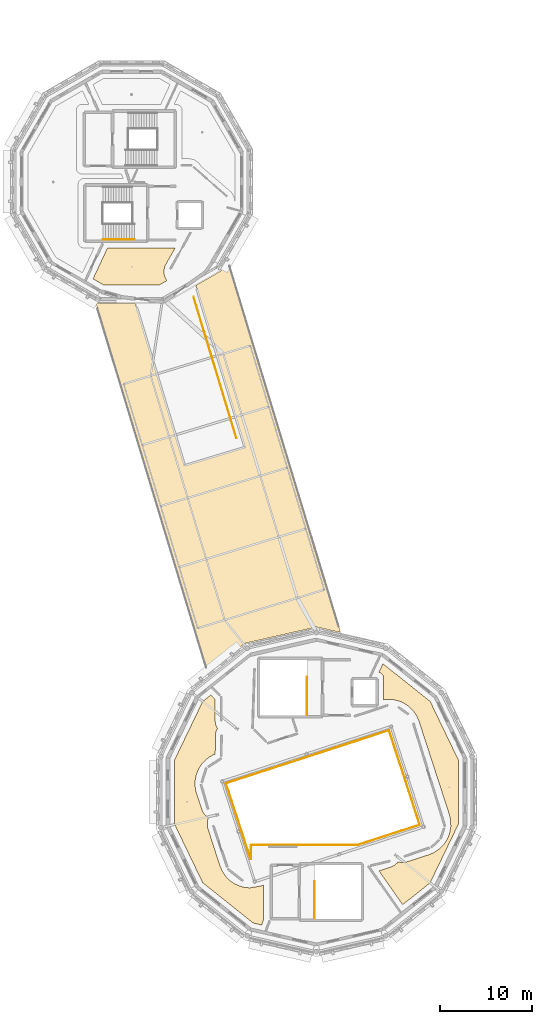
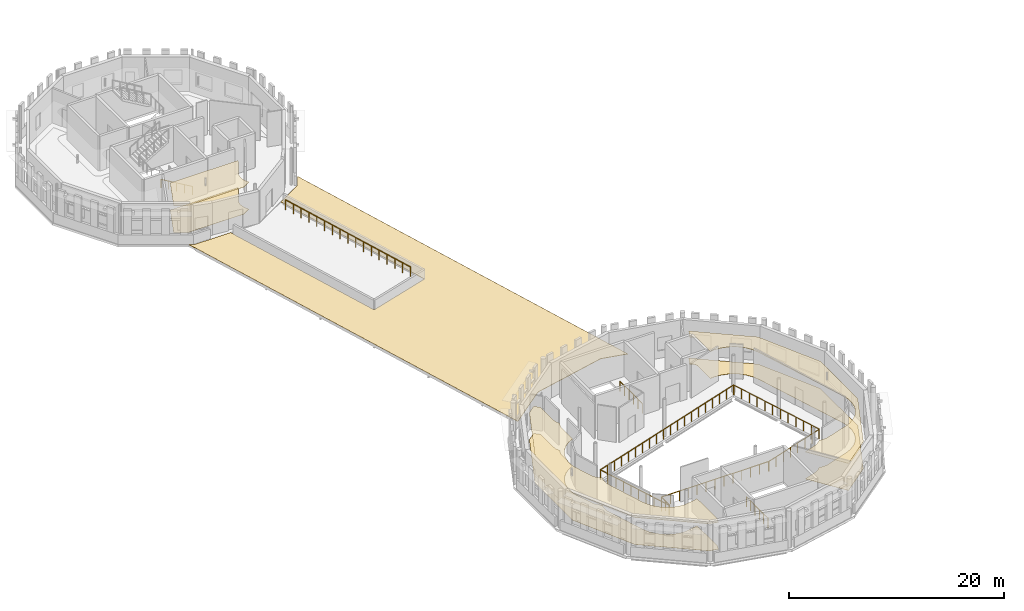
# One storey, part 64 of 68: 10 railings, 7 coverings.
"""IFC4 building model written with IfcOpenShell, lengths in metres."""

from ifc_helpers import new_model, si_unit, direction, frame, origin, origin_2d, place, context, subcontext, project, spatial, polyline, circle, outline, extrude, material, layer, layer_set, type_object, element, save


model = new_model("IFC4")

# Units and contexts
model_context = context("Model", 3, precision=1e-05, world=origin(), true_north=direction((0.0, 1.0)))
body_context = subcontext(model_context, "Body", "Model", "MODEL_VIEW")
ifc_project = project(units=[si_unit("LENGTHUNIT", "METRE"), si_unit("AREAUNIT", "SQUARE_METRE"), si_unit("VOLUMEUNIT", "CUBIC_METRE"), si_unit("PLANEANGLEUNIT", "RADIAN"), si_unit("MASSUNIT", "GRAM", prefix="KILO")], contexts=[model_context])

# Site, building, storey
site_placement = place(None, origin())
site = spatial("IfcSite", under=ifc_project, at=site_placement, CompositionType="ELEMENT")
building_placement = place(site_placement, origin())
building = spatial("IfcBuilding", under=site, at=building_placement, Name="Wrenclough Park School", CompositionType="ELEMENT")
storey_placement = place(building_placement, frame((0.0, 0.0, 12.60009765625)))
storey = spatial("IfcBuildingStorey", under=building, at=storey_placement, Name="L03", CompositionType="ELEMENT", Elevation=12.60009765625)

# Railing
ifc_material_1 = material(Name="Galvanised powder-coated steel and laminated glass balustrade", Category="steel")
railing_type_1 = type_object("IfcRailingType", Name="ENV-BAL-PD", PredefinedType="BALUSTRADE", material=ifc_material_1)
railing_1_placement = place(storey_placement, frame((27.850830078125, 61.76611328125, 0.0)))
element("IfcRailing", 1, at=railing_1_placement, inside=storey, type_object=railing_type_1, Name="Play deck PD-2 planted-zone balustrade", PredefinedType="BALUSTRADE", context=body_context, shape_type="SweptSolid", body=[
    extrude(circle(Radius=0.02392578125, at=origin_2d()), frame((0.0, 0.0, 1.1259765625), z_axis=(-0.290009946219, 0.957023631419, 0.0), x_axis=(-0.957023631419, -0.290009946219, 0.0)), (0.0, 0.0, 1.0), 15.937744140625),
    extrude(circle(Radius=0.02099609375, at=origin_2d()), origin(), (0.0, 0.0, 1.0), 1.101806640625),
    extrude(circle(Radius=0.02099609375, at=origin_2d()), frame((-0.288818359375, 0.953369140625, 0.0)), (0.0, 0.0, 1.0), 1.101806640625),
    extrude(circle(Radius=0.02099609375, at=origin_2d()), frame((-0.57763671875, 1.906494140625, 0.0)), (0.0, 0.0, 1.0), 1.101806640625),
    extrude(circle(Radius=0.02099609375, at=origin_2d()), frame((-0.86669921875, 2.85986328125, 0.0)), (0.0, 0.0, 1.0), 1.101806640625),
    extrude(circle(Radius=0.02099609375, at=origin_2d()), frame((-1.155517578125, 3.813232421875, 0.0)), (0.0, 0.0, 1.0), 1.101806640625),
    extrude(circle(Radius=0.02099609375, at=origin_2d()), frame((-1.4443359375, 4.766357421875, 0.0)), (0.0, 0.0, 1.0), 1.101806640625),
    extrude(circle(Radius=0.02099609375, at=origin_2d()), frame((-1.7333984375, 5.7197265625, 0.0)), (0.0, 0.0, 1.0), 1.101806640625),
    extrude(circle(Radius=0.02099609375, at=origin_2d()), frame((-2.022216796875, 6.673095703125, 0.0)), (0.0, 0.0, 1.0), 1.101806640625),
    extrude(circle(Radius=0.02099609375, at=origin_2d()), frame((-2.31103515625, 7.62646484375, 0.0)), (0.0, 0.0, 1.0), 1.101806640625),
    extrude(circle(Radius=0.02099609375, at=origin_2d()), frame((-2.599853515625, 8.57958984375, 0.0)), (0.0, 0.0, 1.0), 1.101806640625),
    extrude(circle(Radius=0.02099609375, at=origin_2d()), frame((-2.888671875, 9.532958984375, 0.0)), (0.0, 0.0, 1.0), 1.101806640625),
    extrude(circle(Radius=0.02099609375, at=origin_2d()), frame((-3.177734375, 10.486328125, 0.0)), (0.0, 0.0, 1.0), 1.101806640625),
    extrude(circle(Radius=0.02099609375, at=origin_2d()), frame((-3.466552734375, 11.439453125, 0.0)), (0.0, 0.0, 1.0), 1.101806640625),
    extrude(circle(Radius=0.02099609375, at=origin_2d()), frame((-3.75537109375, 12.392822265625, 0.0)), (0.0, 0.0, 1.0), 1.101806640625),
    extrude(circle(Radius=0.02099609375, at=origin_2d()), frame((-4.04443359375, 13.34619140625, 0.0)), (0.0, 0.0, 1.0), 1.101806640625),
    extrude(circle(Radius=0.02099609375, at=origin_2d()), frame((-4.333251953125, 14.29931640625, 0.0)), (0.0, 0.0, 1.0), 1.101806640625),
    extrude(circle(Radius=0.02099609375, at=origin_2d()), frame((-4.6220703125, 15.252685546875, 0.0)), (0.0, 0.0, 1.0), 1.101806640625),
])

# Coverings
ifc_material_2 = material(Name="Patinated copper-alloy standing-seam eave cladding", Category="aluminium")
ifc_layer_1 = layer(ifc_material_2, 0.044921875)
ifc_layer_set_1 = layer_set([ifc_layer_1], Name="Patinated copper-alloy standing-seam eave cladding")
covering_type_1 = type_object("IfcCoveringType", Name="ENV-COV-EAVE", PredefinedType="CLADDING", material=ifc_layer_set_1)
covering_1_placement = place(storey_placement, origin())
element("IfcCovering", 2, at=covering_1_placement, inside=storey, type_object=covering_type_1, Name="Patinated copper overhanging eave cladding EAVE-W23-L03", PredefinedType="CLADDING", context=body_context, shape_type="SweptSolid", body=[
    extrude(outline(polyline([(36.510986328125, 41.3486328125), (39.107666015625, 40.756103515625), (26.88037109375, 81.106201171875), (26.150146484375, 79.84619140625), (23.463623046875, 78.2939453125), (28.768310546875, 60.790283203125), (22.235595703125, 58.803466796875), (16.92822265625, 76.3134765625), (12.97998046875, 76.3134765625), (12.593994140625, 76.528564453125), (24.755859375, 36.39453125), (28.757080078125, 39.583251953125), (36.510986328125, 41.3486328125)])), origin(), (0.0, 0.0, 1.0), 0.044921875),
])
ifc_material_3 = material(Name="Class A mineral-fibre acoustic ceiling raft", Category="gypsum")
ifc_layer_2 = layer(ifc_material_3, 0.044921875)
ifc_layer_set_2 = layer_set([ifc_layer_2], Name="Class A mineral-fibre acoustic ceiling raft")
covering_type_2 = type_object("IfcCoveringType", Name="INT-COV-CEIL", PredefinedType="CEILING", material=ifc_layer_set_2)
covering_2_placement = place(storey_placement, frame((0.0, 0.0, 3.054931640625)))
element("IfcCovering", 3, at=covering_2_placement, inside=storey, type_object=covering_type_2, Name="Theatre Lighting Classroom acoustic ceiling raft", PredefinedType="CEILING", context=body_context, shape_type="SweptSolid", body=[
    extrude(outline(polyline([(24.82861328125, 20.743896484375), (24.569580078125, 20.927001953125), (24.474853515625, 21.009521484375), (24.25830078125, 21.283447265625), (24.217041015625, 21.343505859375), (24.1826171875, 21.40771484375), (24.155517578125, 21.475341796875), (23.51318359375, 23.3955078125), (23.439453125, 23.685302734375), (23.423828125, 23.76904296875), (23.37060546875, 24.2177734375), (23.366455078125, 24.313232421875), (23.381103515625, 24.738037109375), (23.51025390625, 25.390625), (23.761474609375, 26.00439453125), (24.042236328125, 26.447998046875), (24.114013671875, 26.540283203125), (24.5205078125, 26.973876953125), (24.855224609375, 27.235107421875), (24.935791015625, 27.2880859375), (25.33642578125, 27.511962890625), (25.431884765625, 27.5556640625), (25.55322265625, 27.599609375), (25.571044921875, 29.734619140625), (25.594482421875, 29.853515625), (25.67138671875, 30.102294921875), (25.804443359375, 30.356689453125), (25.62744140625, 30.73681640625), (25.597412109375, 30.858642578125), (25.556640625, 31.138916015625), (25.550048828125, 31.232421875), (25.550048828125, 33.53076171875), (25.077392578125, 34.00341796875), (24.203369140625, 33.306396484375), (21.166259765625, 27.0), (21.166259765625, 20.000244140625), (24.203369140625, 13.693603515625), (29.67578125, 9.329345703125), (30.575927734375, 9.1240234375), (30.782470703125, 9.69189453125), (30.75048828125, 13.443115234375), (30.693115234375, 13.415283203125), (30.57421875, 13.37744140625), (30.24658203125, 13.309814453125), (30.11962890625, 13.307373046875), (30.0537109375, 13.2744140625), (29.944580078125, 13.2412109375), (29.8310546875, 13.22998046875), (29.733154296875, 13.239013671875), (29.663330078125, 13.213134765625), (29.5859375, 13.19482421875), (29.3125, 13.14990234375), (29.2021484375, 13.14990234375), (28.830810546875, 13.180908203125), (28.735107421875, 13.1962890625), (28.3251953125, 13.295654296875), (27.722900390625, 13.5478515625), (27.168701171875, 13.917236328125), (26.751953125, 14.32080078125), (26.366943359375, 14.8583984375), (26.062255859375, 15.542236328125), (24.72998046875, 19.660888671875), (24.702880859375, 19.78662109375), (24.69873046875, 19.850830078125), (24.69580078125, 20.301513671875), (24.707275390625, 20.37451171875), (24.726806640625, 20.44580078125), (24.82861328125, 20.743896484375)])), origin(), (0.0, 0.0, 1.0), 0.044921875),
])
covering_3_placement = place(storey_placement, frame((0.0, 0.0, 3.054931640625)))
element("IfcCovering", 4, at=covering_3_placement, inside=storey, type_object=covering_type_2, Name="Performing Arts Seminar Room acoustic ceiling raft", PredefinedType="CEILING", context=body_context, shape_type="SweptSolid", body=[
    extrude(outline(polyline([(43.77001953125, 35.820068359375), (43.77001953125, 33.482666015625), (44.1904296875, 33.52978515625), (44.872802734375, 33.48583984375), (45.55419921875, 33.29638671875), (45.671875, 33.25048828125), (46.074462890625, 33.04541015625), (46.147216796875, 33.002197265625), (46.37353515625, 32.8466796875), (46.448486328125, 32.78662109375), (46.900390625, 32.36181640625), (47.2607421875, 31.8662109375), (47.326904296875, 31.751220703125), (47.599365234375, 31.130126953125), (50.86328125, 21.084716796875), (51.005859375, 20.45556640625), (51.0283203125, 19.77734375), (50.90673828125, 19.0810546875), (50.872314453125, 18.959228515625), (50.707763671875, 18.53857421875), (50.6669921875, 18.453125), (50.4453125, 18.07373046875), (50.278076171875, 17.8466796875), (50.22314453125, 17.78173828125), (49.91015625, 17.4560546875), (49.81396484375, 17.373779296875), (49.234619140625, 16.972900390625), (48.692626953125, 16.73681640625), (46.20751953125, 15.932861328125), (46.078369140625, 15.9052734375), (45.618408203125, 15.89892578125), (45.544189453125, 15.902587890625), (45.470947265625, 15.914794921875), (45.325439453125, 15.96142578125), (45.27587890625, 15.894287109375), (45.221923828125, 15.837890625), (44.965576171875, 15.606201171875), (44.90185546875, 15.56494140625), (44.678955078125, 15.442626953125), (43.26220703125, 14.975830078125), (45.8212890625, 11.32080078125), (48.796630859375, 13.693603515625), (51.833740234375, 20.0), (51.833740234375, 26.999755859375), (48.796630859375, 33.306396484375), (43.689208984375, 37.37939453125), (43.258056640625, 36.45458984375), (43.36865234375, 36.42041015625), (43.481201171875, 36.360595703125), (43.57958984375, 36.279541015625), (43.62255859375, 36.232421875), (43.693115234375, 36.12646484375), (43.720458984375, 36.068603515625), (43.757568359375, 35.94677734375), (43.77001953125, 35.820068359375)])), origin(), (0.0, 0.0, 1.0), 0.044921875),
])
covering_4_placement = place(storey_placement, frame((0.0, 0.0, 3.054931640625)))
element("IfcCovering", 5, at=covering_4_placement, inside=storey, type_object=covering_type_2, Name="Architecture Design Classroom acoustic ceiling raft", PredefinedType="CEILING", context=body_context, shape_type="SweptSolid", body=[
    extrude(outline(polyline([(21.211669921875, 82.330078125), (13.89599609375, 82.330078125), (12.34130859375, 78.996337890625), (13.505615234375, 78.32421875), (19.494384765625, 78.32421875), (20.329833984375, 78.806396484375), (20.28125, 78.881103515625), (20.1171875, 79.189453125), (20.09228515625, 79.263671875), (20.025634765625, 79.525390625), (20.0068359375, 79.78076171875), (20.006591796875, 79.8564453125), (20.015380859375, 79.931884765625), (20.07861328125, 80.27001953125), (20.10302734375, 80.3388671875), (20.135009765625, 80.404541015625), (21.211669921875, 82.330078125)])), origin(), (0.0, 0.0, 1.0), 0.044921875),
])
ifc_material_4 = material(Name="Acoustic natural linoleum school flooring", Category="wood")
ifc_layer_3 = layer(ifc_material_4, 0.014892578125)
ifc_layer_set_3 = layer_set([ifc_layer_3], Name="Acoustic natural linoleum school flooring")
covering_type_3 = type_object("IfcCoveringType", Name="INT-COV-FLOOR1", PredefinedType="FLOORING", material=ifc_layer_set_3)
covering_5_placement = place(storey_placement, origin())
element("IfcCovering", 6, at=covering_5_placement, inside=storey, type_object=covering_type_3, Name="Theatre Lighting Classroom floor finish", PredefinedType="FLOORING", context=body_context, shape_type="SweptSolid", body=[
    extrude(outline(polyline([(24.82861328125, 20.743896484375), (24.569580078125, 20.927001953125), (24.474853515625, 21.009521484375), (24.25830078125, 21.283447265625), (24.217041015625, 21.343505859375), (24.1826171875, 21.40771484375), (24.155517578125, 21.475341796875), (23.51318359375, 23.3955078125), (23.439453125, 23.685302734375), (23.423828125, 23.76904296875), (23.37060546875, 24.2177734375), (23.366455078125, 24.313232421875), (23.381103515625, 24.738037109375), (23.51025390625, 25.390625), (23.761474609375, 26.00439453125), (24.042236328125, 26.447998046875), (24.114013671875, 26.540283203125), (24.5205078125, 26.973876953125), (24.855224609375, 27.235107421875), (24.935791015625, 27.2880859375), (25.33642578125, 27.511962890625), (25.431884765625, 27.5556640625), (25.55322265625, 27.599609375), (25.571044921875, 29.734619140625), (25.594482421875, 29.853515625), (25.67138671875, 30.102294921875), (25.804443359375, 30.356689453125), (25.62744140625, 30.73681640625), (25.597412109375, 30.858642578125), (25.556640625, 31.138916015625), (25.550048828125, 31.232421875), (25.550048828125, 33.53076171875), (25.077392578125, 34.00341796875), (24.203369140625, 33.306396484375), (21.166259765625, 27.0), (21.166259765625, 20.000244140625), (24.203369140625, 13.693603515625), (29.67578125, 9.329345703125), (30.575927734375, 9.1240234375), (30.782470703125, 9.69189453125), (30.75048828125, 13.443115234375), (30.693115234375, 13.415283203125), (30.57421875, 13.37744140625), (30.24658203125, 13.309814453125), (30.11962890625, 13.307373046875), (30.0537109375, 13.2744140625), (29.944580078125, 13.2412109375), (29.8310546875, 13.22998046875), (29.733154296875, 13.239013671875), (29.663330078125, 13.213134765625), (29.5859375, 13.19482421875), (29.3125, 13.14990234375), (29.2021484375, 13.14990234375), (28.830810546875, 13.180908203125), (28.735107421875, 13.1962890625), (28.3251953125, 13.295654296875), (27.722900390625, 13.5478515625), (27.168701171875, 13.917236328125), (26.751953125, 14.32080078125), (26.366943359375, 14.8583984375), (26.062255859375, 15.542236328125), (24.72998046875, 19.660888671875), (24.702880859375, 19.78662109375), (24.69873046875, 19.850830078125), (24.69580078125, 20.301513671875), (24.707275390625, 20.37451171875), (24.726806640625, 20.44580078125), (24.82861328125, 20.743896484375)])), origin(), (0.0, 0.0, 1.0), 0.014892578125),
])
covering_6_placement = place(storey_placement, origin())
element("IfcCovering", 7, at=covering_6_placement, inside=storey, type_object=covering_type_3, Name="Performing Arts Seminar Room floor finish", PredefinedType="FLOORING", context=body_context, shape_type="SweptSolid", body=[
    extrude(outline(polyline([(43.77001953125, 35.820068359375), (43.77001953125, 33.482666015625), (44.1904296875, 33.52978515625), (44.872802734375, 33.48583984375), (45.55419921875, 33.29638671875), (45.671875, 33.25048828125), (46.074462890625, 33.04541015625), (46.147216796875, 33.002197265625), (46.37353515625, 32.8466796875), (46.448486328125, 32.78662109375), (46.900390625, 32.36181640625), (47.2607421875, 31.8662109375), (47.326904296875, 31.751220703125), (47.599365234375, 31.130126953125), (50.86328125, 21.084716796875), (51.005859375, 20.45556640625), (51.0283203125, 19.77734375), (50.90673828125, 19.0810546875), (50.872314453125, 18.959228515625), (50.707763671875, 18.53857421875), (50.6669921875, 18.453125), (50.4453125, 18.07373046875), (50.278076171875, 17.8466796875), (50.22314453125, 17.78173828125), (49.91015625, 17.4560546875), (49.81396484375, 17.373779296875), (49.234619140625, 16.972900390625), (48.692626953125, 16.73681640625), (46.20751953125, 15.932861328125), (46.078369140625, 15.9052734375), (45.618408203125, 15.89892578125), (45.544189453125, 15.902587890625), (45.470947265625, 15.914794921875), (45.325439453125, 15.96142578125), (45.27587890625, 15.894287109375), (45.221923828125, 15.837890625), (44.965576171875, 15.606201171875), (44.90185546875, 15.56494140625), (44.678955078125, 15.442626953125), (43.26220703125, 14.975830078125), (45.8212890625, 11.32080078125), (48.796630859375, 13.693603515625), (51.833740234375, 20.0), (51.833740234375, 26.999755859375), (48.796630859375, 33.306396484375), (43.689208984375, 37.37939453125), (43.258056640625, 36.45458984375), (43.36865234375, 36.42041015625), (43.481201171875, 36.360595703125), (43.57958984375, 36.279541015625), (43.62255859375, 36.232421875), (43.693115234375, 36.12646484375), (43.720458984375, 36.068603515625), (43.757568359375, 35.94677734375), (43.77001953125, 35.820068359375)])), origin(), (0.0, 0.0, 1.0), 0.014892578125),
])
covering_7_placement = place(storey_placement, origin())
element("IfcCovering", 8, at=covering_7_placement, inside=storey, type_object=covering_type_3, Name="Architecture Design Classroom floor finish", PredefinedType="FLOORING", context=body_context, shape_type="SweptSolid", body=[
    extrude(outline(polyline([(21.211669921875, 82.330078125), (13.89599609375, 82.330078125), (12.34130859375, 78.996337890625), (13.505615234375, 78.32421875), (19.494384765625, 78.32421875), (20.329833984375, 78.806396484375), (20.28125, 78.881103515625), (20.1171875, 79.189453125), (20.09228515625, 79.263671875), (20.025634765625, 79.525390625), (20.0068359375, 79.78076171875), (20.006591796875, 79.8564453125), (20.015380859375, 79.931884765625), (20.07861328125, 80.27001953125), (20.10302734375, 80.3388671875), (20.135009765625, 80.404541015625), (21.211669921875, 82.330078125)])), origin(), (0.0, 0.0, 1.0), 0.014892578125),
])

# Railings
ifc_material_5 = material(Name="Powder-coated steel vertical-baluster stair and atrium guard", Category="steel")
railing_type_2 = type_object("IfcRailingType", Name="INT-RL-GD1120", PredefinedType="GUARDRAIL", material=ifc_material_5)
railing_2_placement = place(storey_placement, frame((35.4951171875, 31.840087890625, 0.0)))
element("IfcRailing", 9, at=railing_2_placement, inside=storey, type_object=railing_type_2, Name="ST-02 L03 top landing guard", PredefinedType="GUARDRAIL", context=body_context, shape_type="SweptSolid", body=[
    extrude(circle(Radius=0.02392578125, at=origin_2d()), frame((0.0, 0.0, 1.09619140625), z_axis=(0.0, 1.0, 0.0), x_axis=(-1.0, 0.0, 0.0)), (0.0, 0.0, 1.0), 4.10986328125),
    extrude(circle(Radius=0.02099609375, at=origin_2d()), origin(), (0.0, 0.0, 1.0), 1.072021484375),
    extrude(circle(Radius=0.02099609375, at=origin_2d()), frame((0.0, 0.822021484375, 0.0)), (0.0, 0.0, 1.0), 1.072021484375),
    extrude(circle(Radius=0.02099609375, at=origin_2d()), frame((0.0, 1.64404296875, 0.0)), (0.0, 0.0, 1.0), 1.072021484375),
    extrude(circle(Radius=0.02099609375, at=origin_2d()), frame((0.0, 2.4658203125, 0.0)), (0.0, 0.0, 1.0), 1.072021484375),
    extrude(circle(Radius=0.02099609375, at=origin_2d()), frame((0.0, 3.287841796875, 0.0)), (0.0, 0.0, 1.0), 1.072021484375),
    extrude(circle(Radius=0.02099609375, at=origin_2d()), frame((0.0, 4.10986328125, 0.0)), (0.0, 0.0, 1.0), 1.072021484375),
])
railing_3_placement = place(storey_placement, frame((36.304931640625, 9.840087890625, 0.0)))
element("IfcRailing", 10, at=railing_3_placement, inside=storey, type_object=railing_type_2, Name="ST-13 L03 top landing guard", PredefinedType="GUARDRAIL", context=body_context, shape_type="SweptSolid", body=[
    extrude(circle(Radius=0.02392578125, at=origin_2d()), frame((0.0, 0.0, 1.09619140625), z_axis=(0.0, 1.0, 0.0), x_axis=(-1.0, 0.0, 0.0)), (0.0, 0.0, 1.0), 4.010009765625),
    extrude(circle(Radius=0.02099609375, at=origin_2d()), origin(), (0.0, 0.0, 1.0), 1.072021484375),
    extrude(circle(Radius=0.02099609375, at=origin_2d()), frame((0.0, 0.802001953125, 0.0)), (0.0, 0.0, 1.0), 1.072021484375),
    extrude(circle(Radius=0.02099609375, at=origin_2d()), frame((0.0, 1.60400390625, 0.0)), (0.0, 0.0, 1.0), 1.072021484375),
    extrude(circle(Radius=0.02099609375, at=origin_2d()), frame((0.0, 2.406005859375, 0.0)), (0.0, 0.0, 1.0), 1.072021484375),
    extrude(circle(Radius=0.02099609375, at=origin_2d()), frame((0.0, 3.2080078125, 0.0)), (0.0, 0.0, 1.0), 1.072021484375),
    extrude(circle(Radius=0.02099609375, at=origin_2d()), frame((0.0, 4.010009765625, 0.0)), (0.0, 0.0, 1.0), 1.072021484375),
])
railing_4_placement = place(storey_placement, frame((26.73193359375, 24.418701171875, 0.0)))
element("IfcRailing", 11, at=railing_4_placement, inside=storey, type_object=railing_type_2, Name="D2 L03 void perimeter guard 1.1", PredefinedType="GUARDRAIL", context=body_context, shape_type="SweptSolid", body=[
    extrude(circle(Radius=0.02392578125, at=origin_2d()), frame((0.0, 0.0, 1.09619140625), z_axis=(0.309035211773, -0.951050596911, 0.0), x_axis=(0.951050596911, 0.309035211773, 0.0)), (0.0, 0.0, 1.0), 8.57470703125),
    extrude(circle(Radius=0.02099609375, at=origin_2d()), origin(), (0.0, 0.0, 1.0), 1.072021484375),
    extrude(circle(Radius=0.02099609375, at=origin_2d()), frame((0.29443359375, -0.906005859375, 0.0)), (0.0, 0.0, 1.0), 1.072021484375),
    extrude(circle(Radius=0.02099609375, at=origin_2d()), frame((0.5888671875, -1.812255859375, 0.0)), (0.0, 0.0, 1.0), 1.072021484375),
    extrude(circle(Radius=0.02099609375, at=origin_2d()), frame((0.88330078125, -2.71826171875, 0.0)), (0.0, 0.0, 1.0), 1.072021484375),
    extrude(circle(Radius=0.02099609375, at=origin_2d()), frame((1.177734375, -3.62451171875, 0.0)), (0.0, 0.0, 1.0), 1.072021484375),
    extrude(circle(Radius=0.02099609375, at=origin_2d()), frame((1.47216796875, -4.530517578125, 0.0)), (0.0, 0.0, 1.0), 1.072021484375),
    extrude(circle(Radius=0.02099609375, at=origin_2d()), frame((1.7666015625, -5.436767578125, 0.0)), (0.0, 0.0, 1.0), 1.072021484375),
    extrude(circle(Radius=0.02099609375, at=origin_2d()), frame((2.06103515625, -6.3427734375, 0.0)), (0.0, 0.0, 1.0), 1.072021484375),
    extrude(circle(Radius=0.02099609375, at=origin_2d()), frame((2.35546875, -7.2490234375, 0.0)), (0.0, 0.0, 1.0), 1.072021484375),
    extrude(circle(Radius=0.02099609375, at=origin_2d()), frame((2.64990234375, -8.155029296875, 0.0)), (0.0, 0.0, 1.0), 1.072021484375),
])
railing_5_placement = place(storey_placement, frame((29.419921875, 16.269775390625, 0.0)))
element("IfcRailing", 12, at=railing_5_placement, inside=storey, type_object=railing_type_2, Name="D2 L03 void perimeter guard 1.3", PredefinedType="GUARDRAIL", context=body_context, shape_type="SweptSolid", body=[
    extrude(circle(Radius=0.02392578125, at=origin_2d()), frame((0.0, 0.0, 1.09619140625), z_axis=(0.0, 1.0, 0.0), x_axis=(-1.0, 0.0, 0.0)), (0.0, 0.0, 1.0), 1.485107421875),
    extrude(circle(Radius=0.02099609375, at=origin_2d()), origin(), (0.0, 0.0, 1.0), 1.072021484375),
    extrude(circle(Radius=0.02099609375, at=origin_2d()), frame((0.0, 0.74267578125, 0.0)), (0.0, 0.0, 1.0), 1.072021484375),
    extrude(circle(Radius=0.02099609375, at=origin_2d()), frame((0.0, 1.485107421875, 0.0)), (0.0, 0.0, 1.0), 1.072021484375),
])
railing_6_placement = place(storey_placement, frame((29.445068359375, 17.780029296875, 0.0)))
element("IfcRailing", 13, at=railing_6_placement, inside=storey, type_object=railing_type_2, Name="D2 L03 void perimeter guard 1.4", PredefinedType="GUARDRAIL", context=body_context, shape_type="SweptSolid", body=[
    extrude(circle(Radius=0.02392578125, at=origin_2d()), frame((0.0, 0.0, 1.09619140625), z_axis=(1.0, 0.0, 0.0), x_axis=(0.0, 1.0, 0.0)), (0.0, 0.0, 1.0), 11.504150390625),
    extrude(circle(Radius=0.02099609375, at=origin_2d()), origin(), (0.0, 0.0, 1.0), 1.072021484375),
    extrude(circle(Radius=0.02099609375, at=origin_2d()), frame((0.958740234375, 0.0, 0.0)), (0.0, 0.0, 1.0), 1.072021484375),
    extrude(circle(Radius=0.02099609375, at=origin_2d()), frame((1.91748046875, 0.0, 0.0)), (0.0, 0.0, 1.0), 1.072021484375),
    extrude(circle(Radius=0.02099609375, at=origin_2d()), frame((2.8759765625, 0.0, 0.0)), (0.0, 0.0, 1.0), 1.072021484375),
    extrude(circle(Radius=0.02099609375, at=origin_2d()), frame((3.834716796875, 0.0, 0.0)), (0.0, 0.0, 1.0), 1.072021484375),
    extrude(circle(Radius=0.02099609375, at=origin_2d()), frame((4.79345703125, 0.0, 0.0)), (0.0, 0.0, 1.0), 1.072021484375),
    extrude(circle(Radius=0.02099609375, at=origin_2d()), frame((5.751953125, 0.0, 0.0)), (0.0, 0.0, 1.0), 1.072021484375),
    extrude(circle(Radius=0.02099609375, at=origin_2d()), frame((6.710693359375, 0.0, 0.0)), (0.0, 0.0, 1.0), 1.072021484375),
    extrude(circle(Radius=0.02099609375, at=origin_2d()), frame((7.66943359375, 0.0, 0.0)), (0.0, 0.0, 1.0), 1.072021484375),
    extrude(circle(Radius=0.02099609375, at=origin_2d()), frame((8.628173828125, 0.0, 0.0)), (0.0, 0.0, 1.0), 1.072021484375),
    extrude(circle(Radius=0.02099609375, at=origin_2d()), frame((9.5869140625, 0.0, 0.0)), (0.0, 0.0, 1.0), 1.072021484375),
    extrude(circle(Radius=0.02099609375, at=origin_2d()), frame((10.54541015625, 0.0, 0.0)), (0.0, 0.0, 1.0), 1.072021484375),
    extrude(circle(Radius=0.02099609375, at=origin_2d()), frame((11.504150390625, 0.0, 0.0)), (0.0, 0.0, 1.0), 1.072021484375),
])
railing_7_placement = place(storey_placement, frame((40.998046875, 17.78759765625, 0.0)))
element("IfcRailing", 14, at=railing_7_placement, inside=storey, type_object=railing_type_2, Name="D2 L03 void perimeter guard 1.5", PredefinedType="GUARDRAIL", context=body_context, shape_type="SweptSolid", body=[
    extrude(circle(Radius=0.02392578125, at=origin_2d()), frame((0.0, 0.0, 1.09619140625), z_axis=(0.951049966856, 0.309037150748, 0.0), x_axis=(-0.309037150748, 0.951049966856, 0.0)), (0.0, 0.0, 1.0), 6.996337890625),
    extrude(circle(Radius=0.02099609375, at=origin_2d()), origin(), (0.0, 0.0, 1.0), 1.072021484375),
    extrude(circle(Radius=0.02099609375, at=origin_2d()), frame((0.950439453125, 0.308837890625, 0.0)), (0.0, 0.0, 1.0), 1.072021484375),
    extrude(circle(Radius=0.02099609375, at=origin_2d()), frame((1.901123046875, 0.61767578125, 0.0)), (0.0, 0.0, 1.0), 1.072021484375),
    extrude(circle(Radius=0.02099609375, at=origin_2d()), frame((2.8515625, 0.926513671875, 0.0)), (0.0, 0.0, 1.0), 1.072021484375),
    extrude(circle(Radius=0.02099609375, at=origin_2d()), frame((3.80224609375, 1.235595703125, 0.0)), (0.0, 0.0, 1.0), 1.072021484375),
    extrude(circle(Radius=0.02099609375, at=origin_2d()), frame((4.752685546875, 1.54443359375, 0.0)), (0.0, 0.0, 1.0), 1.072021484375),
    extrude(circle(Radius=0.02099609375, at=origin_2d()), frame((5.703369140625, 1.853271484375, 0.0)), (0.0, 0.0, 1.0), 1.072021484375),
    extrude(circle(Radius=0.02099609375, at=origin_2d()), frame((6.65380859375, 2.162109375, 0.0)), (0.0, 0.0, 1.0), 1.072021484375),
])
railing_8_placement = place(storey_placement, frame((47.66796875, 19.981201171875, 0.0)))
element("IfcRailing", 15, at=railing_8_placement, inside=storey, type_object=railing_type_2, Name="D2 L03 void perimeter guard 1.6", PredefinedType="GUARDRAIL", context=body_context, shape_type="SweptSolid", body=[
    extrude(circle(Radius=0.02392578125, at=origin_2d()), frame((0.0, 0.0, 1.09619140625), z_axis=(-0.309024618803, 0.951054038934, 0.0), x_axis=(-0.951054038934, -0.309024618803, 0.0)), (0.0, 0.0, 1.0), 10.68994140625),
    extrude(circle(Radius=0.02099609375, at=origin_2d()), origin(), (0.0, 0.0, 1.0), 1.072021484375),
    extrude(circle(Radius=0.02099609375, at=origin_2d()), frame((-0.30029296875, 0.92431640625, 0.0)), (0.0, 0.0, 1.0), 1.072021484375),
    extrude(circle(Radius=0.02099609375, at=origin_2d()), frame((-0.6005859375, 1.848388671875, 0.0)), (0.0, 0.0, 1.0), 1.072021484375),
    extrude(circle(Radius=0.02099609375, at=origin_2d()), frame((-0.90087890625, 2.772705078125, 0.0)), (0.0, 0.0, 1.0), 1.072021484375),
    extrude(circle(Radius=0.02099609375, at=origin_2d()), frame((-1.201171875, 3.697021484375, 0.0)), (0.0, 0.0, 1.0), 1.072021484375),
    extrude(circle(Radius=0.02099609375, at=origin_2d()), frame((-1.50146484375, 4.621337890625, 0.0)), (0.0, 0.0, 1.0), 1.072021484375),
    extrude(circle(Radius=0.02099609375, at=origin_2d()), frame((-1.802001953125, 5.54541015625, 0.0)), (0.0, 0.0, 1.0), 1.072021484375),
    extrude(circle(Radius=0.02099609375, at=origin_2d()), frame((-2.102294921875, 6.4697265625, 0.0)), (0.0, 0.0, 1.0), 1.072021484375),
    extrude(circle(Radius=0.02099609375, at=origin_2d()), frame((-2.402587890625, 7.39404296875, 0.0)), (0.0, 0.0, 1.0), 1.072021484375),
    extrude(circle(Radius=0.02099609375, at=origin_2d()), frame((-2.702880859375, 8.318359375, 0.0)), (0.0, 0.0, 1.0), 1.072021484375),
    extrude(circle(Radius=0.02099609375, at=origin_2d()), frame((-3.003173828125, 9.242431640625, 0.0)), (0.0, 0.0, 1.0), 1.072021484375),
    extrude(circle(Radius=0.02099609375, at=origin_2d()), frame((-3.303466796875, 10.166748046875, 0.0)), (0.0, 0.0, 1.0), 1.072021484375),
])
railing_9_placement = place(storey_placement, frame((44.3330078125, 30.1640625, 0.0)))
element("IfcRailing", 16, at=railing_9_placement, inside=storey, type_object=railing_type_2, Name="D2 L03 void perimeter guard 1.7", PredefinedType="GUARDRAIL", context=body_context, shape_type="SweptSolid", body=[
    extrude(circle(Radius=0.02392578125, at=origin_2d()), frame((0.0, 0.0, 1.09619140625), z_axis=(-0.951053861504, -0.309025164862, 0.0), x_axis=(0.309025164862, -0.951053861504, 0.0)), (0.0, 0.0, 1.0), 18.489990234375),
    extrude(circle(Radius=0.02099609375, at=origin_2d()), origin(), (0.0, 0.0, 1.0), 1.072021484375),
    extrude(circle(Radius=0.02099609375, at=origin_2d()), frame((-0.925537109375, -0.30078125, 0.0)), (0.0, 0.0, 1.0), 1.072021484375),
    extrude(circle(Radius=0.02099609375, at=origin_2d()), frame((-1.85107421875, -0.6015625, 0.0)), (0.0, 0.0, 1.0), 1.072021484375),
    extrude(circle(Radius=0.02099609375, at=origin_2d()), frame((-2.776611328125, -0.902099609375, 0.0)), (0.0, 0.0, 1.0), 1.072021484375),
    extrude(circle(Radius=0.02099609375, at=origin_2d()), frame((-3.7021484375, -1.202880859375, 0.0)), (0.0, 0.0, 1.0), 1.072021484375),
    extrude(circle(Radius=0.02099609375, at=origin_2d()), frame((-4.627685546875, -1.503662109375, 0.0)), (0.0, 0.0, 1.0), 1.072021484375),
    extrude(circle(Radius=0.02099609375, at=origin_2d()), frame((-5.55322265625, -1.804443359375, 0.0)), (0.0, 0.0, 1.0), 1.072021484375),
    extrude(circle(Radius=0.02099609375, at=origin_2d()), frame((-6.478759765625, -2.105224609375, 0.0)), (0.0, 0.0, 1.0), 1.072021484375),
    extrude(circle(Radius=0.02099609375, at=origin_2d()), frame((-7.404296875, -2.40576171875, 0.0)), (0.0, 0.0, 1.0), 1.072021484375),
    extrude(circle(Radius=0.02099609375, at=origin_2d()), frame((-8.329833984375, -2.70654296875, 0.0)), (0.0, 0.0, 1.0), 1.072021484375),
    extrude(circle(Radius=0.02099609375, at=origin_2d()), frame((-9.255126953125, -3.00732421875, 0.0)), (0.0, 0.0, 1.0), 1.072021484375),
    extrude(circle(Radius=0.02099609375, at=origin_2d()), frame((-10.1806640625, -3.30810546875, 0.0)), (0.0, 0.0, 1.0), 1.072021484375),
    extrude(circle(Radius=0.02099609375, at=origin_2d()), frame((-11.106201171875, -3.608642578125, 0.0)), (0.0, 0.0, 1.0), 1.072021484375),
    extrude(circle(Radius=0.02099609375, at=origin_2d()), frame((-12.03173828125, -3.909423828125, 0.0)), (0.0, 0.0, 1.0), 1.072021484375),
    extrude(circle(Radius=0.02099609375, at=origin_2d()), frame((-12.957275390625, -4.210205078125, 0.0)), (0.0, 0.0, 1.0), 1.072021484375),
    extrude(circle(Radius=0.02099609375, at=origin_2d()), frame((-13.8828125, -4.510986328125, 0.0)), (0.0, 0.0, 1.0), 1.072021484375),
    extrude(circle(Radius=0.02099609375, at=origin_2d()), frame((-14.808349609375, -4.811767578125, 0.0)), (0.0, 0.0, 1.0), 1.072021484375),
    extrude(circle(Radius=0.02099609375, at=origin_2d()), frame((-15.73388671875, -5.1123046875, 0.0)), (0.0, 0.0, 1.0), 1.072021484375),
    extrude(circle(Radius=0.02099609375, at=origin_2d()), frame((-16.659423828125, -5.4130859375, 0.0)), (0.0, 0.0, 1.0), 1.072021484375),
    extrude(circle(Radius=0.02099609375, at=origin_2d()), frame((-17.5849609375, -5.7138671875, 0.0)), (0.0, 0.0, 1.0), 1.072021484375),
])
ifc_material_6 = material(Name="Brushed stainless steel tubular handrail", Category="steel")
railing_type_3 = type_object("IfcRailingType", Name="INT-RL-HR950", PredefinedType="HANDRAIL", material=ifc_material_6)
railing_10_placement = place(storey_placement, frame((16.840087890625, 83.25, 0.16796875)))
element("IfcRailing", 17, at=railing_10_placement, inside=storey, type_object=railing_type_3, Name="ST-03 L03 pitch handrail 1", PredefinedType="HANDRAIL", context=body_context, shape_type="SweptSolid", body=[
    extrude(circle(Radius=0.02392578125, at=origin_2d()), frame((0.0, 0.0, 0.92578125), z_axis=(-0.861492827544, 0.0, 0.507769739242), x_axis=(0.0, -1.0, 0.0)), (0.0, 0.0, 1.0), 3.969970703125),
    extrude(circle(Radius=0.02099609375, at=origin_2d()), origin(), (0.0, 0.0, 1.0), 0.90185546875),
    extrude(circle(Radius=0.02099609375, at=origin_2d()), frame((-0.85498046875, 0.0, 0.50390625)), (0.0, 0.0, 1.0), 0.90185546875),
    extrude(circle(Radius=0.02099609375, at=origin_2d()), frame((-1.7099609375, 0.0, 1.0078125)), (0.0, 0.0, 1.0), 0.90185546875),
    extrude(circle(Radius=0.02099609375, at=origin_2d()), frame((-2.565185546875, 0.0, 1.511962890625)), (0.0, 0.0, 1.0), 0.90185546875),
    extrude(circle(Radius=0.02099609375, at=origin_2d()), frame((-3.420166015625, 0.0, 2.015869140625)), (0.0, 0.0, 1.0), 0.90185546875),
])

save(model, "model.ifc")
